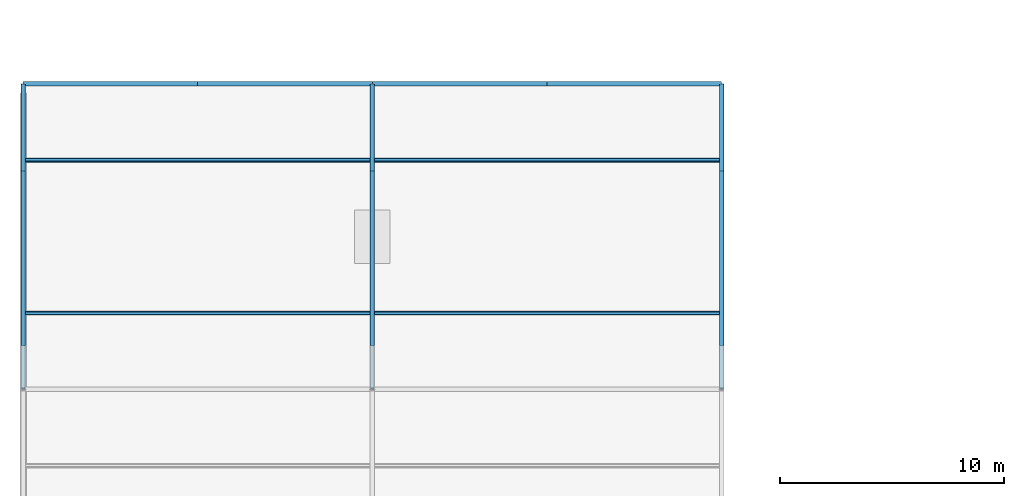
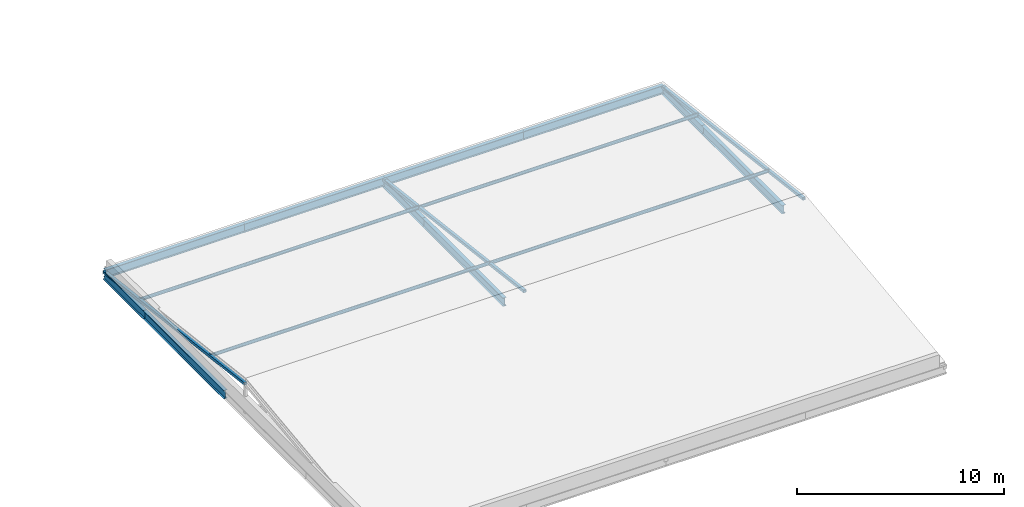
# One storey, part 4 of 21: 10 beams, 7 members.
"""IFC4 building model written with IfcOpenShell, lengths in metres."""

from ifc_helpers import new_model, si_unit, direction, frame, origin, origin_2d, place, context, subcontext, project, spatial, hollow_rectangle, hollow_circle, i_section, extrude, material, material_profile, profile_set, type_object, element, save


model = new_model("IFC4")

# Units and contexts
model_context = context("Model", 3, precision=1e-05, world=origin(), true_north=direction((0.0, 1.0)))
body_context = subcontext(model_context, "Body", "Model", "MODEL_VIEW")
ifc_project = project(units=[si_unit("LENGTHUNIT", "METRE"), si_unit("AREAUNIT", "SQUARE_METRE"), si_unit("VOLUMEUNIT", "CUBIC_METRE"), si_unit("PLANEANGLEUNIT", "RADIAN"), si_unit("MASSUNIT", "GRAM", prefix="KILO")], contexts=[model_context])

# Site, building, storey
site_placement = place(None, origin())
site = spatial("IfcSite", under=ifc_project, at=site_placement, CompositionType="ELEMENT")
building_placement = place(site_placement, origin())
building = spatial("IfcBuilding", under=site, at=building_placement, Name="Celorna Specialist Clinic", CompositionType="ELEMENT")
storey_placement = place(building_placement, frame((0.0, 0.0, 23.10009765625)))
storey = spatial("IfcBuildingStorey", under=building, at=storey_placement, Name="L05", CompositionType="ELEMENT", Elevation=23.10009765625)

# Beams
ifc_material = material(Name="Steel S355", Category="steel")
ifc_material_profile_1 = material_profile(ifc_material, i_section(OverallWidth=0.199951171875, OverallDepth=0.5, WebThickness=0.01025390625, FlangeThickness=0.01611328125, at=origin_2d()), Name="IPE 500")
ifc_profile_set_1 = profile_set([ifc_material_profile_1], Name="Steel S355")
beam_type = type_object("IfcBeamType", Name="BM-08", PredefinedType="BEAM", material=ifc_profile_set_1)
for number, where, z_axis, x_axis, name in (
    (1, (0.0, 15.60009765625, -0.35009765625), (0.0, 1.0, 0.0), (-1.0, 0.0, 0.0), "V5 roof transverse girder"),
    (2, (15.60009765625, 15.60009765625, -0.35009765625), (0.0, 1.0, 0.0), (-1.0, 0.0, 0.0), "V5 roof transverse girder"),
    (3, (31.199951171875, 15.60009765625, -0.35009765625), (0.0, 1.0, 0.0), (-1.0, 0.0, 0.0), "V5 roof transverse girder"),
):
    element("IfcBeam", number, at=place(storey_placement, frame(where, z_axis=z_axis, x_axis=x_axis)), inside=storey, type_object=beam_type, Name=name, PredefinedType="BEAM", context=body_context, shape_type="SweptSolid", body=[
        extrude(i_section(OverallWidth=0.199951171875, OverallDepth=0.5, WebThickness=0.01025390625, FlangeThickness=0.01611328125, at=origin_2d()), origin(), (0.0, 0.0, 1.0), 7.7998046875),
    ])
for number, where, z_axis, x_axis, name in (
    (4, (0.0, 23.39990234375, -0.35009765625), (0.0, 1.0, 0.0), (-1.0, 0.0, 0.0), "V5 roof transverse girder"),
    (5, (15.60009765625, 23.39990234375, -0.35009765625), (0.0, 1.0, 0.0), (-1.0, 0.0, 0.0), "V5 roof transverse girder"),
    (6, (31.199951171875, 23.39990234375, -0.35009765625), (0.0, 1.0, 0.0), (-1.0, 0.0, 0.0), "V5 roof transverse girder"),
):
    element("IfcBeam", number, at=place(storey_placement, frame(where, z_axis=z_axis, x_axis=x_axis)), inside=storey, type_object=beam_type, Name=name, PredefinedType="BEAM", context=body_context, shape_type="SweptSolid", body=[
        extrude(i_section(OverallWidth=0.199951171875, OverallDepth=0.5, WebThickness=0.01025390625, FlangeThickness=0.01611328125, at=origin_2d()), origin(), (0.0, 0.0, 1.0), 3.900146484375),
    ])
for number, where, z_axis, x_axis, name in (
    (7, (0.0, 27.300048828125, -0.300048828125), (1.0, 0.0, 0.0), (0.0, 1.0, 0.0), "V5 roof perimeter girder X=0.0"),
    (8, (7.800048828125, 27.300048828125, -0.300048828125), (1.0, 0.0, 0.0), (0.0, 1.0, 0.0), "V5 roof perimeter girder X=7.8"),
):
    element("IfcBeam", number, at=place(storey_placement, frame(where, z_axis=z_axis, x_axis=x_axis)), inside=storey, type_object=beam_type, Name=name, PredefinedType="BEAM", context=body_context, shape_type="SweptSolid", body=[
        extrude(i_section(OverallWidth=0.199951171875, OverallDepth=0.5, WebThickness=0.01025390625, FlangeThickness=0.01611328125, at=origin_2d()), origin(), (0.0, 0.0, 1.0), 7.800048828125),
    ])
beam_1_placement = place(storey_placement, frame((15.60009765625, 27.300048828125, -0.300048828125), z_axis=(1.0, 0.0, 0.0), x_axis=(0.0, 1.0, 0.0)))
element("IfcBeam", 9, at=beam_1_placement, inside=storey, type_object=beam_type, Name="V5 roof perimeter girder X=15.6", PredefinedType="BEAM", context=body_context, shape_type="SweptSolid", body=[
    extrude(i_section(OverallWidth=0.199951171875, OverallDepth=0.5, WebThickness=0.01025390625, FlangeThickness=0.01611328125, at=origin_2d()), origin(), (0.0, 0.0, 1.0), 7.7998046875),
])
beam_2_placement = place(storey_placement, frame((23.39990234375, 27.300048828125, -0.300048828125), z_axis=(1.0, 0.0, 0.0), x_axis=(0.0, 1.0, 0.0)))
element("IfcBeam", 10, at=beam_2_placement, inside=storey, type_object=beam_type, Name="V5 roof perimeter girder X=23.4", PredefinedType="BEAM", context=body_context, shape_type="SweptSolid", body=[
    extrude(i_section(OverallWidth=0.199951171875, OverallDepth=0.5, WebThickness=0.01025390625, FlangeThickness=0.01611328125, at=origin_2d()), origin(), (0.0, 0.0, 1.0), 7.800048828125),
])

# Members
ifc_material_profile_2 = material_profile(ifc_material, hollow_circle(Radius=0.096923828125, WallThickness=0.010009765625, at=origin_2d()), Name="CHS 193.7x10")
ifc_profile_set_2 = profile_set([ifc_material_profile_2], Name="Steel S355")
member_type_1 = type_object("IfcMemberType", Name="MB-04", PredefinedType="PURLIN", material=ifc_profile_set_2)
member_1_placement = place(storey_placement, frame((0.0, 17.0625, 1.060302734375), z_axis=(1.0, 0.0, 0.0), x_axis=(0.0, 1.0, 0.0)))
element("IfcMember", 11, at=member_1_placement, inside=storey, type_object=member_type_1, Name="Roof purlin WP-341-WP-342", PredefinedType="PURLIN", context=body_context, shape_type="SweptSolid", body=[
    extrude(hollow_circle(Radius=0.096923828125, WallThickness=0.010009765625, at=origin_2d()), origin(), (0.0, 0.0, 1.0), 15.60009765625),
])
member_2_placement = place(storey_placement, frame((15.60009765625, 17.0625, 1.060302734375), z_axis=(1.0, 0.0, 0.0), x_axis=(0.0, 1.0, 0.0)))
element("IfcMember", 12, at=member_2_placement, inside=storey, type_object=member_type_1, Name="Roof purlin WP-342-WP-343", PredefinedType="PURLIN", context=body_context, shape_type="SweptSolid", body=[
    extrude(hollow_circle(Radius=0.096923828125, WallThickness=0.010009765625, at=origin_2d()), origin(), (0.0, 0.0, 1.0), 15.599853515625),
])
member_3_placement = place(storey_placement, frame((0.0, 23.887451171875, 0.225341796875), z_axis=(1.0, 0.0, 0.0), x_axis=(0.0, 1.0, 0.0)))
element("IfcMember", 13, at=member_3_placement, inside=storey, type_object=member_type_1, Name="Roof purlin WP-344-WP-345", PredefinedType="PURLIN", context=body_context, shape_type="SweptSolid", body=[
    extrude(hollow_circle(Radius=0.096923828125, WallThickness=0.010009765625, at=origin_2d()), origin(), (0.0, 0.0, 1.0), 15.60009765625),
])
member_4_placement = place(storey_placement, frame((15.60009765625, 23.887451171875, 0.225341796875), z_axis=(1.0, 0.0, 0.0), x_axis=(0.0, 1.0, 0.0)))
element("IfcMember", 14, at=member_4_placement, inside=storey, type_object=member_type_1, Name="Roof purlin WP-345-WP-346", PredefinedType="PURLIN", context=body_context, shape_type="SweptSolid", body=[
    extrude(hollow_circle(Radius=0.096923828125, WallThickness=0.010009765625, at=origin_2d()), origin(), (0.0, 0.0, 1.0), 15.599853515625),
])
ifc_material_profile_3 = material_profile(ifc_material, hollow_rectangle(XDim=0.159912109375, YDim=0.159912109375, WallThickness=0.010009765625, at=origin_2d()), Name="SHS 160x160x10")
ifc_profile_set_3 = profile_set([ifc_material_profile_3], Name="Steel S355")
member_type_2 = type_object("IfcMemberType", Name="MB-09", PredefinedType="CHORD", material=ifc_profile_set_3)
for number, where, z_axis, x_axis, name in (
    (15, (0.0, 13.64990234375, 1.468017578125), (0.0, 0.99259761769, -0.121449451854), (-1.0, 0.0, 0.0), "Pitched roof rafter chord WP-327-WP-338"),
    (16, (15.60009765625, 13.64990234375, 1.468017578125), (0.0, 0.99259761769, -0.121449451854), (-1.0, 0.0, 0.0), "Pitched roof rafter chord WP-329-WP-339"),
    (17, (31.199951171875, 13.64990234375, 1.468017578125), (0.0, 0.99259761769, -0.121449451854), (-1.0, 0.0, 0.0), "Pitched roof rafter chord WP-331-WP-340"),
):
    element("IfcMember", number, at=place(storey_placement, frame(where, z_axis=z_axis, x_axis=x_axis)), inside=storey, type_object=member_type_2, Name=name, PredefinedType="CHORD", context=body_context, shape_type="SweptSolid", body=[
        extrude(hollow_rectangle(XDim=0.159912109375, YDim=0.159912109375, WallThickness=0.010009765625, at=origin_2d()), origin(), (0.0, 0.0, 1.0), 13.751953125),
    ])

save(model, "model.ifc")
